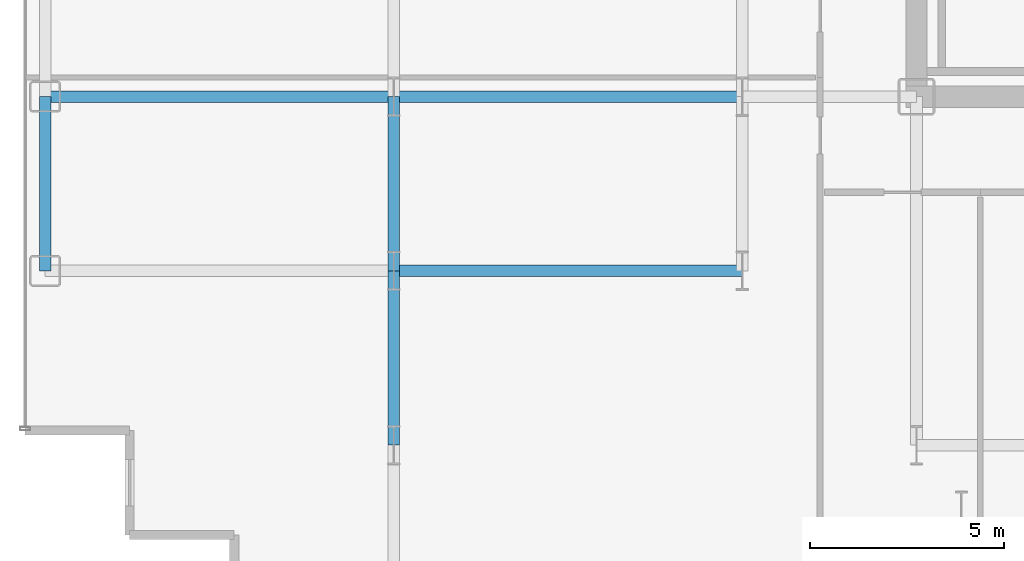
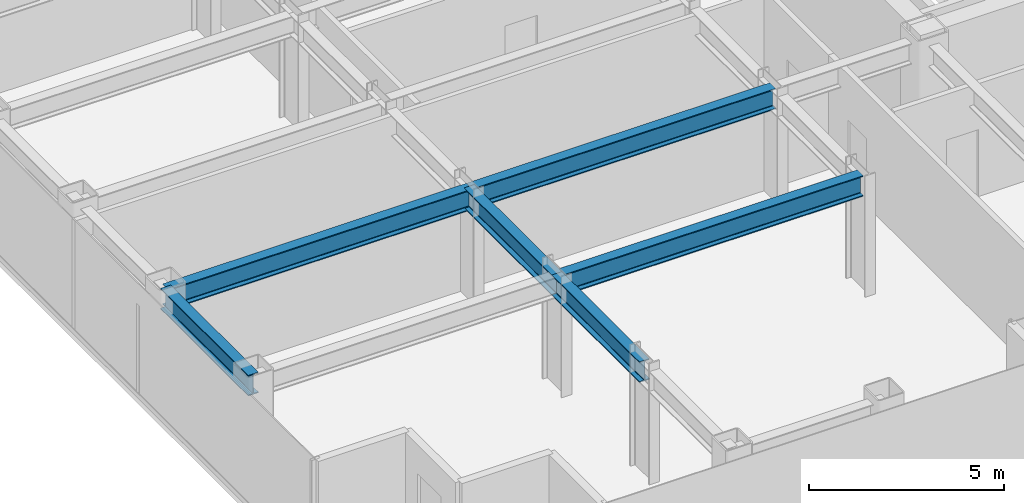
# One storey, part 3 of 26: 6 beams.
"""IFC4 building model written with IfcOpenShell, lengths in metres."""

from ifc_helpers import new_model, si_unit, direction, frame, origin, origin_2d, place, context, subcontext, project, spatial, i_section, extrude, source, transform, mapped, material, material_profile, profile_set, type_object, element, save


model = new_model("IFC4")

# Units and contexts
model_context = context("Model", 3, precision=1e-05, world=origin(), true_north=direction((0.0, 1.0)))
body_context = subcontext(model_context, "Body", "Model", "MODEL_VIEW")
ifc_project = project(units=[si_unit("LENGTHUNIT", "METRE"), si_unit("AREAUNIT", "SQUARE_METRE"), si_unit("VOLUMEUNIT", "CUBIC_METRE"), si_unit("PLANEANGLEUNIT", "RADIAN"), si_unit("MASSUNIT", "GRAM", prefix="KILO")], contexts=[model_context])

# Site, building, storey
site_placement = place(None, origin())
site = spatial("IfcSite", under=ifc_project, at=site_placement, CompositionType="ELEMENT")
building_placement = place(site_placement, origin())
building = spatial("IfcBuilding", under=site, at=building_placement, Name="Nefas-Gora Pilgrimage Tower", CompositionType="ELEMENT")
storey_placement = place(building_placement, frame((0.0, 0.0, 121.199951171875)))
storey = spatial("IfcBuildingStorey", under=building, at=storey_placement, Name="L29", CompositionType="ELEMENT", Elevation=121.199951171875)

# Beams
ifc_material = material(Name="Steel S355", Category="steel")
ifc_material_profile_1 = material_profile(ifc_material, i_section(OverallWidth=0.300048828125, OverallDepth=0.64990234375, WebThickness=0.01611328125, FlangeThickness=0.031005859375, FilletRadius=0.027099609375, at=origin_2d()), Name="HEB 650")
ifc_profile_set_1 = profile_set([ifc_material_profile_1], Name="Steel S355")
beam_type_1 = type_object("IfcBeamType", Name="BM-SPN-HEB500", PredefinedType="SPANDREL", material=ifc_profile_set_1)
shared_shape_1 = source(origin(), body_context, "Body", "SweptSolid", [
    extrude(i_section(OverallWidth=0.300048828125, OverallDepth=0.64990234375, WebThickness=0.01611328125, FlangeThickness=0.031005859375, FilletRadius=0.027099609375, at=origin_2d()), origin(), (0.0, 0.0, 1.0), 4.5),
])
beam_placement = place(storey_placement, frame((-33.75, -13.5, 3.22509765625), z_axis=(0.0, 1.0, 0.0), x_axis=(-1.0, 0.0, 0.0)))
element("IfcBeam", 1, at=beam_placement, inside=storey, type_object=beam_type_1, Name="L29 SP-02 beam", PredefinedType="SPANDREL", context=body_context, shape_type="MappedRepresentation", body=[
    mapped(shared_shape_1, transform((0.0, 0.0, 0.0), x_axis=(1.0, 0.0, 0.0), y_axis=(0.0, 1.0, 0.0), z_axis=(0.0, 0.0, 1.0), scale=1.0)),
])
ifc_material_profile_2 = material_profile(ifc_material, i_section(OverallWidth=0.300048828125, OverallDepth=0.64990234375, WebThickness=0.01611328125, FlangeThickness=0.031005859375, FilletRadius=0.027099609375, at=origin_2d()), Name="HEB 650")
ifc_profile_set_2 = profile_set([ifc_material_profile_2], Name="Steel S355")
beam_type_2 = type_object("IfcBeamType", Name="BM-GIR-HEB650", PredefinedType="BEAM", material=ifc_profile_set_2)
shared_shape_2 = source(origin(), body_context, "Body", "SweptSolid", [
    extrude(i_section(OverallWidth=0.300048828125, OverallDepth=0.64990234375, WebThickness=0.01611328125, FlangeThickness=0.031005859375, FilletRadius=0.027099609375, at=origin_2d()), origin(), (0.0, 0.0, 1.0), 9.0),
])
for number, where, z_axis, x_axis, name in (
    (2, (-33.75, -9.0, 3.22509765625), (1.0, 0.0, 0.0), (0.0, 1.0, 0.0), "L29 G-03 beam"),
    (3, (-24.75, -13.5, 3.22509765625), (1.0, 0.0, 0.0), (0.0, 1.0, 0.0), "L29 G-03 beam"),
    (4, (-24.75, -9.0, 3.22509765625), (1.0, 0.0, 0.0), (0.0, 1.0, 0.0), "L29 G-03 beam"),
):
    element("IfcBeam", number, at=place(storey_placement, frame(where, z_axis=z_axis, x_axis=x_axis)), inside=storey, type_object=beam_type_2, Name=name, PredefinedType="BEAM", context=body_context, shape_type="MappedRepresentation", body=[
        mapped(shared_shape_2, transform((0.0, 0.0, 0.0), x_axis=(1.0, 0.0, 0.0), y_axis=(0.0, 1.0, 0.0), z_axis=(0.0, 0.0, 1.0), scale=1.0)),
    ])
shared_shape_3 = source(origin(), body_context, "Body", "SweptSolid", [
    extrude(i_section(OverallWidth=0.300048828125, OverallDepth=0.64990234375, WebThickness=0.01611328125, FlangeThickness=0.031005859375, FilletRadius=0.027099609375, at=origin_2d()), origin(), (0.0, 0.0, 1.0), 4.5),
])
for number, where, z_axis, x_axis, name in (
    (5, (-24.75, -18.0, 3.22509765625), (0.0, 1.0, 0.0), (-1.0, 0.0, 0.0), "L29 G-03 beam"),
    (6, (-24.75, -13.5, 3.22509765625), (0.0, 1.0, 0.0), (-1.0, 0.0, 0.0), "L29 G-03 beam"),
):
    element("IfcBeam", number, at=place(storey_placement, frame(where, z_axis=z_axis, x_axis=x_axis)), inside=storey, type_object=beam_type_2, Name=name, PredefinedType="BEAM", context=body_context, shape_type="MappedRepresentation", body=[
        mapped(shared_shape_3, transform((0.0, 0.0, 0.0), x_axis=(1.0, 0.0, 0.0), y_axis=(0.0, 1.0, 0.0), z_axis=(0.0, 0.0, 1.0), scale=1.0)),
    ])

save(model, "model.ifc")
